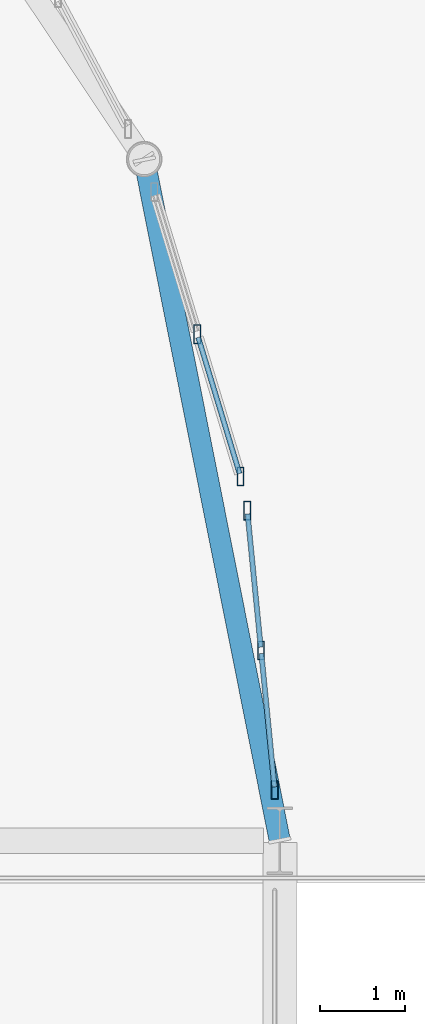
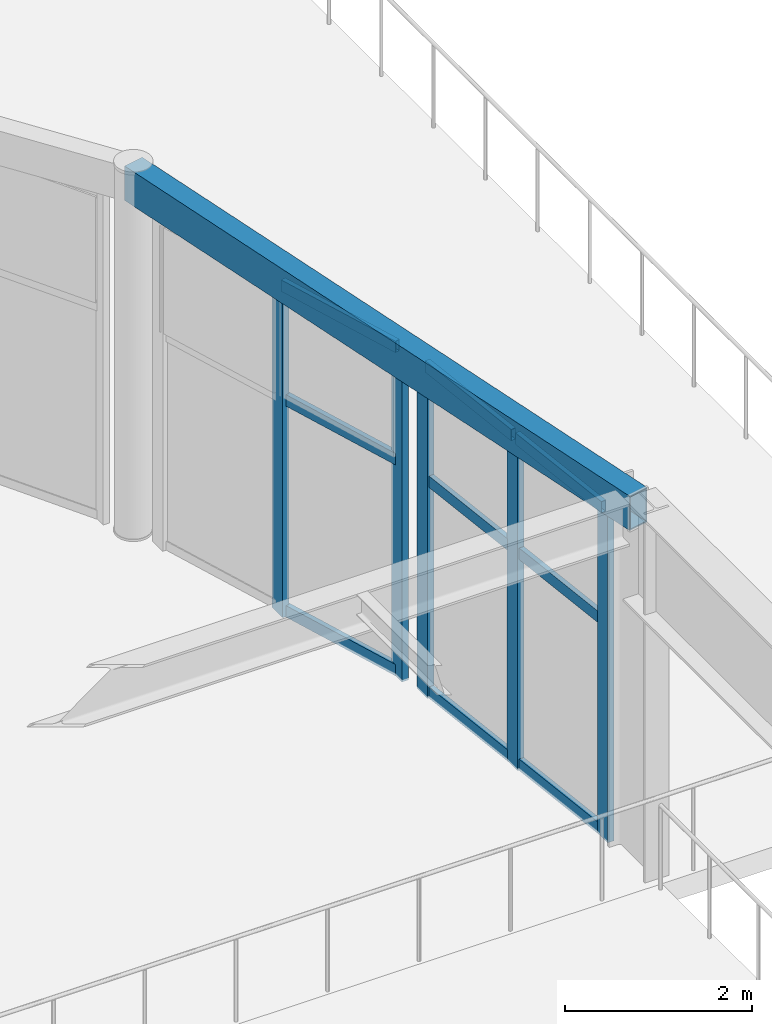
# One storey, part 65 of 143: 14 members, 1 beam, 2 elements without a shape of their own.
"""IFC4 building model written with IfcOpenShell, lengths in metres."""

from ifc_helpers import new_model, si_unit, direction, frame, origin, origin_2d, place, context, subcontext, project, spatial, hollow_rectangle, extrude, material, layer, layer_set, material_profile, profile_set, type_object, element, aggregate, save


model = new_model("IFC4")

# Units and contexts
model_context = context("Model", 3, precision=1e-05, world=origin(), true_north=direction((0.0, 1.0)))
body_context = subcontext(model_context, "Body", "Model", "MODEL_VIEW")
ifc_project = project(units=[si_unit("LENGTHUNIT", "METRE"), si_unit("AREAUNIT", "SQUARE_METRE"), si_unit("VOLUMEUNIT", "CUBIC_METRE"), si_unit("PLANEANGLEUNIT", "RADIAN"), si_unit("MASSUNIT", "GRAM", prefix="KILO")], contexts=[model_context])

# Site, building, storey
site_placement = place(None, origin())
site = spatial("IfcSite", under=ifc_project, at=site_placement, CompositionType="ELEMENT")
building_placement = place(site_placement, origin())
building = spatial("IfcBuilding", under=site, at=building_placement, Name="Marlcrest Central Station", CompositionType="ELEMENT")
storey_placement = place(building_placement, frame((0.0, 0.0, 4.800048828125)))
storey = spatial("IfcBuildingStorey", under=building, at=storey_placement, Name="L01", CompositionType="ELEMENT", Elevation=4.800048828125)

# Curtain wall, members
ifc_material_1 = material(Name="Anodised aluminium and hurricane laminated glass", Category="aluminium")
ifc_layer = layer(ifc_material_1, 0.219970703125, Name="CW-U1")
ifc_layer_set = layer_set([ifc_layer], Name="Anodised aluminium and hurricane laminated glass")
curtain_wall_type = type_object("IfcCurtainWallType", Name="CW-U1", PredefinedType="USERDEFINED", material=ifc_layer_set)
curtain_wall_1_placement = place(storey_placement, origin())
curtain_wall_1 = element("IfcCurtainWall", 1, at=curtain_wall_1_placement, inside=storey, type_object=curtain_wall_type, Name="cw-L01-0065", ObjectType="UNITISED_CURTAIN_WALL", PredefinedType="USERDEFINED")
ifc_material_2 = material(Name="Anodised aluminium 6063-T6", Category="aluminium")
ifc_material_profile_1 = material_profile(ifc_material_2, hollow_rectangle(XDim=0.080078125, YDim=0.219970703125, WallThickness=0.006103515625, at=origin_2d()), Name="AA-RHS 220x80x6")
ifc_profile_set_1 = profile_set([ifc_material_profile_1], Name="Anodised aluminium 6063-T6")
member_type_1 = type_object("IfcMemberType", Name="ML-01", PredefinedType="MULLION", material=ifc_profile_set_1)
member_1_placement = place(storey_placement, frame((128.02734375, 116.4716796875, -0.030029296875), z_axis=(0.0, 0.0, 1.0), x_axis=(1.0, 0.0, 0.0)))
member_1 = element("IfcMember", 2, at=member_1_placement, type_object=member_type_1, Name="cw-L01-0065-ml-1", PredefinedType="MULLION", context=body_context, shape_type="SweptSolid", body=[
    extrude(hollow_rectangle(XDim=0.080078125, YDim=0.219970703125, WallThickness=0.006103515625, at=origin_2d()), origin(), (0.0, 0.0, 1.0), 4.35986328125),
])
member_2_placement = place(storey_placement, frame((128.5361328125, 114.7939453125, -0.030029296875), z_axis=(0.0, 0.0, 1.0), x_axis=(1.0, 0.0, 0.0)))
member_2 = element("IfcMember", 3, at=member_2_placement, type_object=member_type_1, Name="cw-L01-0065-ml-2", PredefinedType="MULLION", context=body_context, shape_type="SweptSolid", body=[
    extrude(hollow_rectangle(XDim=0.080078125, YDim=0.219970703125, WallThickness=0.006103515625, at=origin_2d()), origin(), (0.0, 0.0, 1.0), 4.35986328125),
])

curtain_wall_2_placement = place(storey_placement, origin())
curtain_wall_2 = element("IfcCurtainWall", 4, at=curtain_wall_2_placement, inside=storey, type_object=curtain_wall_type, Name="cw-L01-0066", ObjectType="UNITISED_CURTAIN_WALL", PredefinedType="USERDEFINED")
member_3_placement = place(storey_placement, frame((128.6162109375, 114.39208984375, -0.030029296875), z_axis=(0.0, 0.0, 1.0), x_axis=(1.0, 0.0, 0.0)))
member_3 = element("IfcMember", 5, at=member_3_placement, type_object=member_type_1, Name="cw-L01-0066-ml-0", PredefinedType="MULLION", context=body_context, shape_type="SweptSolid", body=[
    extrude(hollow_rectangle(XDim=0.080078125, YDim=0.219970703125, WallThickness=0.006103515625, at=origin_2d()), origin(), (0.0, 0.0, 1.0), 4.35986328125),
])
member_4_placement = place(storey_placement, frame((128.778564453125, 112.7451171875, -0.030029296875), z_axis=(0.0, 0.0, 1.0), x_axis=(1.0, 0.0, 0.0)))
member_4 = element("IfcMember", 6, at=member_4_placement, type_object=member_type_1, Name="cw-L01-0066-ml-1", PredefinedType="MULLION", context=body_context, shape_type="SweptSolid", body=[
    extrude(hollow_rectangle(XDim=0.080078125, YDim=0.219970703125, WallThickness=0.006103515625, at=origin_2d()), origin(), (0.0, 0.0, 1.0), 4.35986328125),
])
member_5_placement = place(storey_placement, frame((128.94091796875, 111.097900390625, -0.030029296875), z_axis=(0.0, 0.0, 1.0), x_axis=(1.0, 0.0, 0.0)))
member_5 = element("IfcMember", 7, at=member_5_placement, type_object=member_type_1, Name="cw-L01-0066-ml-2", PredefinedType="MULLION", context=body_context, shape_type="SweptSolid", body=[
    extrude(hollow_rectangle(XDim=0.080078125, YDim=0.219970703125, WallThickness=0.006103515625, at=origin_2d()), origin(), (0.0, 0.0, 1.0), 4.35986328125),
])

# Beam
ifc_material_3 = material(Name="Steel S355", Category="steel")
ifc_material_profile_2 = material_profile(ifc_material_3, hollow_rectangle(XDim=0.25, YDim=0.449951171875, WallThickness=0.01611328125, at=origin_2d()), Name="RHS 450x250x16")
ifc_profile_set_2 = profile_set([ifc_material_profile_2], Name="Steel S355")
beam_type = type_object("IfcBeamType", Name="SP-02", PredefinedType="SPANDREL", material=ifc_profile_set_2)
beam_placement = place(storey_placement, frame((127.40087890625, 118.535888671875, 4.58984375), z_axis=(0.19517056122, -0.980769316421, 0.0), x_axis=(0.980769316421, 0.19517056122, 0.0)))
element("IfcBeam", 8, at=beam_placement, inside=storey, type_object=beam_type, Name="bm-SP-02-L01-01465", PredefinedType="SPANDREL", context=body_context, shape_type="SweptSolid", body=[
    extrude(hollow_rectangle(XDim=0.25, YDim=0.449951171875, WallThickness=0.01611328125, at=origin_2d()), origin(), (0.0, 0.0, 1.0), 8.193359375),
])

# Member
ifc_material_profile_3 = material_profile(ifc_material_2, hollow_rectangle(XDim=0.06005859375, YDim=0.14990234375, WallThickness=0.00390625, at=origin_2d()), Name="AA-RHS 150x60x4")
ifc_profile_set_3 = profile_set([ifc_material_profile_3], Name="Anodised aluminium 6063-T6")
member_type_2 = type_object("IfcMemberType", Name="TR-01", PredefinedType="USERDEFINED", material=ifc_profile_set_3)
member_6_placement = place(storey_placement, frame((128.038330078125, 116.435302734375, 0.0400390625), z_axis=(0.29025787087, -0.95694846695, 0.0), x_axis=(0.95694846695, 0.29025787087, 0.0)))
member_6 = element("IfcMember", 9, at=member_6_placement, type_object=member_type_2, Name="cw-L01-0065-tr-1-sill", ObjectType="TRANSOM", PredefinedType="USERDEFINED", context=body_context, shape_type="SweptSolid", body=[
    extrude(hollow_rectangle(XDim=0.06005859375, YDim=0.14990234375, WallThickness=0.00390625, at=origin_2d()), origin(), (0.0, 0.0, 1.0), 1.67724609375),
])

member_7_placement = place(storey_placement, frame((128.038330078125, 116.435302734375, 2.794921875), z_axis=(0.29025787087, -0.95694846695, 0.0), x_axis=(0.95694846695, 0.29025787087, 0.0)))
member_7 = element("IfcMember", 10, at=member_7_placement, type_object=member_type_2, Name="cw-L01-0065-tr-1-mid", ObjectType="TRANSOM", PredefinedType="USERDEFINED", context=body_context, shape_type="SweptSolid", body=[
    extrude(hollow_rectangle(XDim=0.06005859375, YDim=0.14990234375, WallThickness=0.00390625, at=origin_2d()), origin(), (0.0, 0.0, 1.0), 1.67724609375),
])

member_8_placement = place(storey_placement, frame((128.038330078125, 116.435302734375, 4.260009765625), z_axis=(0.29025787087, -0.95694846695, 0.0), x_axis=(0.95694846695, 0.29025787087, 0.0)))
member_8 = element("IfcMember", 11, at=member_8_placement, type_object=member_type_2, Name="cw-L01-0065-tr-1-head", ObjectType="TRANSOM", PredefinedType="USERDEFINED", context=body_context, shape_type="SweptSolid", body=[
    extrude(hollow_rectangle(XDim=0.06005859375, YDim=0.14990234375, WallThickness=0.00390625, at=origin_2d()), origin(), (0.0, 0.0, 1.0), 1.67724609375),
])

aggregate(curtain_wall_1, [member_1, member_2, member_6, member_7, member_8])

member_9_placement = place(storey_placement, frame((128.619873046875, 114.354248046875, 0.0400390625), z_axis=(0.098187021046, -0.995167980242, 0.0), x_axis=(0.995167980242, 0.098187021046, 0.0)))
member_9 = element("IfcMember", 12, at=member_9_placement, type_object=member_type_2, Name="cw-L01-0066-tr-0-sill", ObjectType="TRANSOM", PredefinedType="USERDEFINED", context=body_context, shape_type="SweptSolid", body=[
    extrude(hollow_rectangle(XDim=0.06005859375, YDim=0.14990234375, WallThickness=0.00390625, at=origin_2d()), origin(), (0.0, 0.0, 1.0), 1.578857421875),
])

member_10_placement = place(storey_placement, frame((128.619873046875, 114.354248046875, 2.794921875), z_axis=(0.098187021046, -0.995167980242, 0.0), x_axis=(0.995167980242, 0.098187021046, 0.0)))
member_10 = element("IfcMember", 13, at=member_10_placement, type_object=member_type_2, Name="cw-L01-0066-tr-0-mid", ObjectType="TRANSOM", PredefinedType="USERDEFINED", context=body_context, shape_type="SweptSolid", body=[
    extrude(hollow_rectangle(XDim=0.06005859375, YDim=0.14990234375, WallThickness=0.00390625, at=origin_2d()), origin(), (0.0, 0.0, 1.0), 1.578857421875),
])

member_11_placement = place(storey_placement, frame((128.619873046875, 114.354248046875, 4.260009765625), z_axis=(0.098187021046, -0.995167980242, 0.0), x_axis=(0.995167980242, 0.098187021046, 0.0)))
member_11 = element("IfcMember", 14, at=member_11_placement, type_object=member_type_2, Name="cw-L01-0066-tr-0-head", ObjectType="TRANSOM", PredefinedType="USERDEFINED", context=body_context, shape_type="SweptSolid", body=[
    extrude(hollow_rectangle(XDim=0.06005859375, YDim=0.14990234375, WallThickness=0.00390625, at=origin_2d()), origin(), (0.0, 0.0, 1.0), 1.578857421875),
])

member_12_placement = place(storey_placement, frame((128.7822265625, 112.707275390625, 0.0400390625), z_axis=(0.098171914529, -0.995169470592, 0.0), x_axis=(0.995169470592, 0.098171914529, 0.0)))
member_12 = element("IfcMember", 15, at=member_12_placement, type_object=member_type_2, Name="cw-L01-0066-tr-1-sill", ObjectType="TRANSOM", PredefinedType="USERDEFINED", context=body_context, shape_type="SweptSolid", body=[
    extrude(hollow_rectangle(XDim=0.06005859375, YDim=0.14990234375, WallThickness=0.00390625, at=origin_2d()), origin(), (0.0, 0.0, 1.0), 1.5791015625),
])

member_13_placement = place(storey_placement, frame((128.7822265625, 112.707275390625, 2.794921875), z_axis=(0.098171914529, -0.995169470592, 0.0), x_axis=(0.995169470592, 0.098171914529, 0.0)))
member_13 = element("IfcMember", 16, at=member_13_placement, type_object=member_type_2, Name="cw-L01-0066-tr-1-mid", ObjectType="TRANSOM", PredefinedType="USERDEFINED", context=body_context, shape_type="SweptSolid", body=[
    extrude(hollow_rectangle(XDim=0.06005859375, YDim=0.14990234375, WallThickness=0.00390625, at=origin_2d()), origin(), (0.0, 0.0, 1.0), 1.5791015625),
])

member_14_placement = place(storey_placement, frame((128.7822265625, 112.707275390625, 4.260009765625), z_axis=(0.098171914529, -0.995169470592, 0.0), x_axis=(0.995169470592, 0.098171914529, 0.0)))
member_14 = element("IfcMember", 17, at=member_14_placement, type_object=member_type_2, Name="cw-L01-0066-tr-1-head", ObjectType="TRANSOM", PredefinedType="USERDEFINED", context=body_context, shape_type="SweptSolid", body=[
    extrude(hollow_rectangle(XDim=0.06005859375, YDim=0.14990234375, WallThickness=0.00390625, at=origin_2d()), origin(), (0.0, 0.0, 1.0), 1.5791015625),
])

aggregate(curtain_wall_2, [member_3, member_4, member_5, member_9, member_10, member_11, member_12, member_13, member_14])

save(model, "model.ifc")
